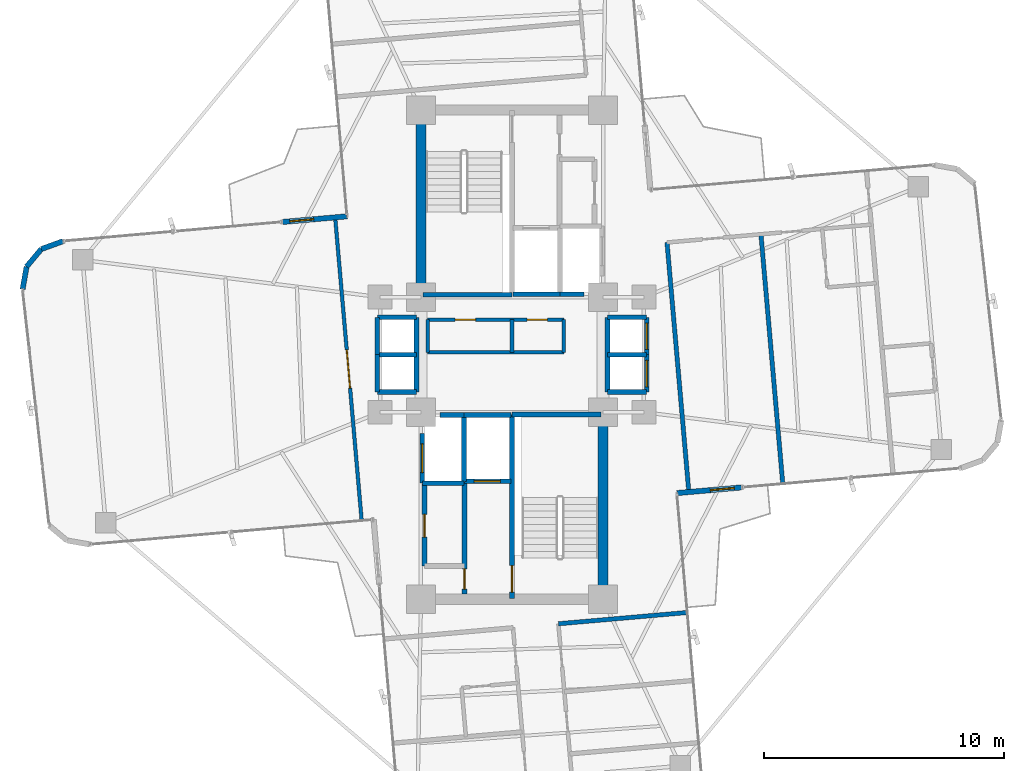
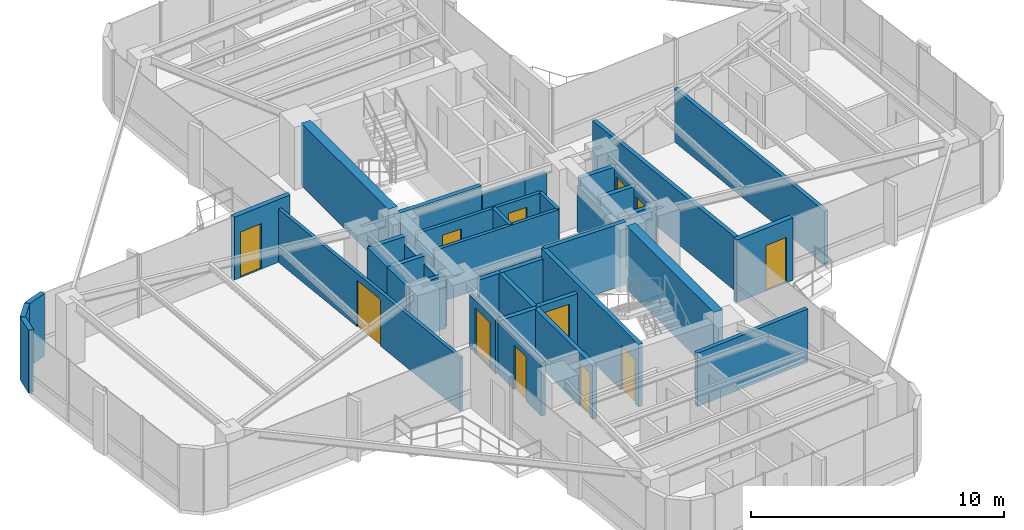
# One storey, part 21 of 24: 41 walls, 12 doors, 12 openings.
"""IFC4 building model written with IfcOpenShell, lengths in metres."""

from ifc_helpers import new_model, si_unit, direction, frame, frame_2d, origin, origin_2d, place, context, subcontext, project, spatial, rectangle, extrude, source, transform, mapped, material, layer, layer_set, type_object, element, fill, save


model = new_model("IFC4")

# Units and contexts
model_context = context("Model", 3, precision=1e-05, world=origin(), true_north=direction((0.0, 1.0)))
body_context = subcontext(model_context, "Body", "Model", "MODEL_VIEW")
ifc_project = project(units=[si_unit("LENGTHUNIT", "METRE"), si_unit("AREAUNIT", "SQUARE_METRE"), si_unit("VOLUMEUNIT", "CUBIC_METRE"), si_unit("PLANEANGLEUNIT", "RADIAN"), si_unit("MASSUNIT", "GRAM", prefix="KILO")], contexts=[model_context])

# Site, building, storey
site_placement = place(None, origin())
site = spatial("IfcSite", under=ifc_project, at=site_placement, CompositionType="ELEMENT")
building_placement = place(site_placement, origin())
building = spatial("IfcBuilding", under=site, at=building_placement, Name="Sahyath Konkavel Grand Hotel", CompositionType="ELEMENT")
storey_placement = place(building_placement, frame((0.0, 0.0, 198.64990234375)))
storey = spatial("IfcBuildingStorey", under=building, at=storey_placement, Name="L55", CompositionType="ELEMENT", Elevation=198.64990234375)

# Walls
ifc_material_1 = material(Name="Concrete C50/60", Category="concrete")
ifc_layer_1 = layer(ifc_material_1, 0.419921875)
ifc_layer_set_1 = layer_set([ifc_layer_1], Name="Concrete C50/60")
wall_type_1 = type_object("IfcWallType", Name="CWALL-420", PredefinedType="SHEAR", material=ifc_layer_set_1)
for number, where, z_axis, x_axis, name in (
    (1, (-3.800048828125, 2.85009765625, 0.0), (0.0, 0.0, 1.0), (0.0, 1.0, 0.0), "L55 North Core Shear Wall W"),
    (2, (3.800048828125, -9.75, 0.0), (0.0, 0.0, 1.0), (0.0, 1.0, 0.0), "L55 South Core Shear Wall E"),
):
    element("IfcWall", number, at=place(storey_placement, frame(where, z_axis=z_axis, x_axis=x_axis)), inside=storey, type_object=wall_type_1, Name=name, PredefinedType="SHEAR", context=body_context, shape_type="SweptSolid", body=[
        extrude(rectangle(XDim=6.89990234375, YDim=0.419921875, at=frame_2d((3.449951171875, 0.0))), origin(), (0.0, 0.0, 1.0), 3.030029296875),
    ])

# Wall, opening, door
ifc_material_2 = material(Name="Warm Buff Sandstone Insulated Concrete C40/50", Category="masonry")
ifc_layer_2 = layer(ifc_material_2, 0.219970703125)
ifc_layer_set_2 = layer_set([ifc_layer_2], Name="Warm Buff Sandstone Insulated Concrete C40/50")
wall_type_2 = type_object("IfcWallType", Name="WLL-BALC-THRESH", PredefinedType="STANDARD", material=ifc_layer_set_2)
wall_1_placement = place(storey_placement, frame((6.87939453125, -5.7724609375, 0.0), z_axis=(0.0, 0.0, 1.0), x_axis=(0.996193619346, 0.087168071984, 0.0)))
wall_1 = element("IfcWall", 3, at=wall_1_placement, inside=storey, type_object=wall_type_2, Name="L55 Winter-Garden Threshold Wall 0", PredefinedType="STANDARD", context=body_context, shape_type="SweptSolid", body=[
    extrude(rectangle(XDim=2.699951171875, YDim=0.219970703125, at=frame_2d((1.35009765625, 0.0))), origin(), (0.0, 0.0, 1.0), 3.030029296875),
])
opening_1_placement = place(wall_1_placement, frame((1.39990234375, 0.0, 0.0)))
opening_1 = element("IfcOpeningElement", 4, at=opening_1_placement, cuts=wall_1, Name="Opening D-TR1", PredefinedType="OPENING", context=body_context, shape_type="SweptSolid", body=[
    extrude(rectangle(XDim=1.0, YDim=2.199951171875, at=frame_2d((0.5, 1.10009765625))), frame((0.0, 0.1201171875, 0.0), z_axis=(0.0, -1.0, 0.0), x_axis=(1.0, 0.0, 0.0)), (0.0, 0.0, 1.0), 0.239990234375),
])
ifc_material_3 = material(Name="Anodised Bronze Aluminium & Low-E Glazing", Category="aluminium")
door_type_1 = type_object("IfcDoorType", Name="DR-TERRACE-1000", OperationType="NOTDEFINED", PredefinedType="DOOR", material=ifc_material_3)
shared_shape_1 = source(origin(), body_context, "Body", "SweptSolid", [
    extrude(rectangle(XDim=1.0, YDim=0.050048828125, at=origin_2d()), origin(), (0.0, 0.0, 1.0), 2.199951171875),
])
door_1_placement = place(opening_1_placement, frame((0.5, 0.0, 0.0)))
door_1 = element("IfcDoor", 5, at=door_1_placement, inside=storey, type_object=door_type_1, Name="L55 Winter-Garden Terrace Door 0", OperationType="SINGLE_SWING_LEFT", OverallHeight=2.199951171875, OverallWidth=1.0, PredefinedType="DOOR", context=body_context, shape_type="MappedRepresentation", body=[
    mapped(shared_shape_1, transform((0.0, 0.0, 0.0), scale=1.0)),
])
fill(opening_1, door_1)

wall_2_placement = place(storey_placement, frame((-6.87939453125, 5.7724609375, 0.0), z_axis=(0.0, 0.0, 1.0), x_axis=(-0.996193619346, -0.087168071984, 0.0)))
wall_2 = element("IfcWall", 6, at=wall_2_placement, inside=storey, type_object=wall_type_2, Name="L55 Winter-Garden Threshold Wall 16", PredefinedType="STANDARD", context=body_context, shape_type="SweptSolid", body=[
    extrude(rectangle(XDim=2.699951171875, YDim=0.219970703125, at=frame_2d((1.35009765625, 0.0))), origin(), (0.0, 0.0, 1.0), 3.030029296875),
])
opening_2_placement = place(wall_2_placement, frame((1.39990234375, 0.0, 0.0)))
opening_2 = element("IfcOpeningElement", 7, at=opening_2_placement, cuts=wall_2, Name="Opening D-TR1", PredefinedType="OPENING", context=body_context, shape_type="SweptSolid", body=[
    extrude(rectangle(XDim=1.0, YDim=2.199951171875, at=frame_2d((0.5, 1.10009765625))), frame((0.0, 0.1201171875, 0.0), z_axis=(0.0, -1.0, 0.0), x_axis=(1.0, 0.0, 0.0)), (0.0, 0.0, 1.0), 0.239990234375),
])
door_2_placement = place(opening_2_placement, frame((0.5, 0.0, 0.0)))
door_2 = element("IfcDoor", 8, at=door_2_placement, inside=storey, type_object=door_type_1, Name="L55 Winter-Garden Terrace Door 16", OperationType="SINGLE_SWING_LEFT", OverallHeight=2.199951171875, OverallWidth=1.0, PredefinedType="DOOR", context=body_context, shape_type="MappedRepresentation", body=[
    mapped(shared_shape_1, transform((0.0, 0.0, 0.0), scale=1.0)),
])
fill(opening_2, door_2)

# Walls
wall_3_placement = place(storey_placement, frame((-18.73388671875, 4.735107421875, 0.0), z_axis=(0.0, 0.0, 1.0), x_axis=(-0.939741306239, -0.34188635151, 0.0)))
element("IfcWall", 9, at=wall_3_placement, inside=storey, type_object=wall_type_2, Name="L55 Rounded Corner Sandstone Pier 17", PredefinedType="STANDARD", context=body_context, shape_type="SweptSolid", body=[
    extrude(rectangle(XDim=0.95751953125, YDim=0.219970703125, at=frame_2d((0.478759765625, 0.0))), origin(), (0.0, 0.0, 1.0), 3.030029296875),
])
for number, where, z_axis, x_axis, name in (
    (10, (-19.6337890625, 4.40771484375, 0.0), (0.0, 0.0, 1.0), (-0.642863236823, -0.765980978054, 0.0), "L55 Rounded Corner Sandstone Pier 18"),
    (11, (-20.24951171875, 3.674072265625, 0.0), (0.0, 0.0, 1.0), (-0.173610811841, -0.984814340885, 0.0), "L55 Rounded Corner Sandstone Pier 19"),
):
    element("IfcWall", number, at=place(storey_placement, frame(where, z_axis=z_axis, x_axis=x_axis)), inside=storey, type_object=wall_type_2, Name=name, PredefinedType="STANDARD", context=body_context, shape_type="SweptSolid", body=[
        extrude(rectangle(XDim=0.957763671875, YDim=0.219970703125, at=frame_2d((0.47900390625, 0.0))), origin(), (0.0, 0.0, 1.0), 3.030029296875),
    ])
ifc_material_4 = material(Name="Concrete C40/50", Category="concrete")
ifc_layer_3 = layer(ifc_material_4, 0.199951171875)
ifc_layer_set_3 = layer_set([ifc_layer_3], Name="Concrete C40/50")
wall_type_3 = type_object("IfcWallType", Name="WLL-CORE-200", PredefinedType="SOLIDWALL", material=ifc_layer_set_3)
wall_4_placement = place(storey_placement, frame((-3.719970703125, 2.5, 0.0), z_axis=(0.0, 0.0, 1.0), x_axis=(1.0, 0.0, 0.0)))
element("IfcWall", 12, at=wall_4_placement, inside=storey, type_object=wall_type_3, Name="L55 Stair ST-1 Shaft Wall S", PredefinedType="SOLIDWALL", context=body_context, shape_type="SweptSolid", body=[
    extrude(rectangle(XDim=3.719970703125, YDim=0.199951171875, at=frame_2d((1.85986328125, 0.0))), origin(), (0.0, 0.0, 1.0), 3.030029296875),
])

# Wall, opening, door
wall_5_placement = place(storey_placement, frame((0.0, -10.179931640625, 0.0), z_axis=(0.0, 0.0, 1.0), x_axis=(0.0, 1.0, 0.0)))
wall_5 = element("IfcWall", 13, at=wall_5_placement, inside=storey, type_object=wall_type_3, Name="L55 Stair ST-2 Shaft Wall W", PredefinedType="SOLIDWALL", context=body_context, shape_type="SweptSolid", body=[
    extrude(rectangle(XDim=7.679931640625, YDim=0.199951171875, at=frame_2d((3.83984375, 0.0))), origin(), (0.0, 0.0, 1.0), 3.030029296875),
])
opening_3_placement = place(wall_5_placement, frame((0.280029296875, 0.0, 0.0)))
opening_3 = element("IfcOpeningElement", 14, at=opening_3_placement, cuts=wall_5, Name="Opening D-F12B", PredefinedType="OPENING", context=body_context, shape_type="SweptSolid", body=[
    extrude(rectangle(XDim=1.10009765625, YDim=2.14990234375, at=frame_2d((0.550048828125, 1.074951171875))), frame((0.0, 0.10986328125, 0.0), z_axis=(0.0, -1.0, 0.0), x_axis=(1.0, 0.0, 0.0)), (0.0, 0.0, 1.0), 0.219970703125),
])
ifc_material_5 = material(Name="Steel E350 Smokeproof Fire Door", Category="steel")
door_type_2 = type_object("IfcDoorType", Name="DR-FD120-1100", OperationType="NOTDEFINED", PredefinedType="DOOR", material=ifc_material_5)
shared_shape_2 = source(origin(), body_context, "Body", "SweptSolid", [
    extrude(rectangle(XDim=1.10009765625, YDim=0.050048828125, at=origin_2d()), origin(), (0.0, 0.0, 1.0), 2.14990234375),
])
door_3_placement = place(opening_3_placement, frame((0.550048828125, 0.0, 0.0)))
door_3 = element("IfcDoor", 15, at=door_3_placement, inside=storey, type_object=door_type_2, Name="L55 Stair ST-2 Fire Door", OperationType="SINGLE_SWING_RIGHT", OverallHeight=2.14990234375, OverallWidth=1.10009765625, PredefinedType="DOOR", context=body_context, shape_type="MappedRepresentation", body=[
    mapped(shared_shape_2, transform((0.0, 0.0, 0.0), scale=1.0)),
])
fill(opening_3, door_3)

# Wall
wall_6_placement = place(storey_placement, frame((0.0, -2.5, 0.0), z_axis=(0.0, 0.0, 1.0), x_axis=(1.0, 0.0, 0.0)))
element("IfcWall", 16, at=wall_6_placement, inside=storey, type_object=wall_type_3, Name="L55 Stair ST-2 Shaft Wall N", PredefinedType="SOLIDWALL", context=body_context, shape_type="SweptSolid", body=[
    extrude(rectangle(XDim=3.719970703125, YDim=0.199951171875, at=frame_2d((1.85986328125, 0.0))), origin(), (0.0, 0.0, 1.0), 3.030029296875),
])

# Wall, opening, door
wall_7_placement = place(storey_placement, frame((-1.97998046875, -9.97998046875, 0.0), z_axis=(0.0, 0.0, 1.0), x_axis=(0.0, 1.0, 0.0)))
wall_7 = element("IfcWall", 17, at=wall_7_placement, inside=storey, type_object=wall_type_3, Name="L55 South Firefighting Lobby Wall W", PredefinedType="SOLIDWALL", context=body_context, shape_type="SweptSolid", body=[
    extrude(rectangle(XDim=4.659912109375, YDim=0.199951171875, at=frame_2d((2.330078125, 0.0))), origin(), (0.0, 0.0, 1.0), 2.580078125),
])
opening_4_placement = place(wall_7_placement, frame((0.199951171875, 0.0, 0.0)))
opening_4 = element("IfcOpeningElement", 18, at=opening_4_placement, cuts=wall_7, Name="Opening D-F12D", PredefinedType="OPENING", context=body_context, shape_type="SweptSolid", body=[
    extrude(rectangle(XDim=0.85009765625, YDim=2.10009765625, at=frame_2d((0.425048828125, 1.050048828125))), frame((0.0, 0.10986328125, 0.0), z_axis=(0.0, -1.0, 0.0), x_axis=(1.0, 0.0, 0.0)), (0.0, 0.0, 1.0), 0.219970703125),
])
ifc_material_6 = material(Name="Steel E350 Core Fire Door", Category="steel")
door_type_3 = type_object("IfcDoorType", Name="DR-FD120-850", OperationType="NOTDEFINED", PredefinedType="DOOR", material=ifc_material_6)
shared_shape_3 = source(origin(), body_context, "Body", "SweptSolid", [
    extrude(rectangle(XDim=0.85009765625, YDim=0.050048828125, at=origin_2d()), origin(), (0.0, 0.0, 1.0), 2.10009765625),
])
door_4_placement = place(opening_4_placement, frame((0.425048828125, 0.0, 0.0)))
door_4 = element("IfcDoor", 19, at=door_4_placement, inside=storey, type_object=door_type_3, Name="L55 South Firefighting Lobby Door", OperationType="SINGLE_SWING_RIGHT", OverallHeight=2.10009765625, OverallWidth=0.85009765625, PredefinedType="DOOR", context=body_context, shape_type="MappedRepresentation", body=[
    mapped(shared_shape_3, transform((0.0, 0.0, 0.0), scale=1.0)),
])
fill(opening_4, door_4)

# Walls
wall_8_placement = place(storey_placement, frame((0.050048828125, 2.52001953125, 0.0), z_axis=(0.0, 0.0, 1.0), x_axis=(1.0, 0.0, 0.0)))
element("IfcWall", 20, at=wall_8_placement, inside=storey, type_object=wall_type_3, Name="L55 Partition SH-FFL1-S", PredefinedType="SOLIDWALL", context=body_context, shape_type="SweptSolid", body=[
    extrude(rectangle(XDim=1.949951171875, YDim=0.199951171875, at=frame_2d((0.97509765625, 0.0))), origin(), (0.0, 0.0, 1.0), 2.580078125),
])
wall_9_placement = place(storey_placement, frame((-2.0, -5.280029296875, 0.0), z_axis=(0.0, 0.0, 1.0), x_axis=(0.0, 1.0, 0.0)))
element("IfcWall", 21, at=wall_9_placement, inside=storey, type_object=wall_type_3, Name="L55 Partition SH-FFL2-W", PredefinedType="SOLIDWALL", context=body_context, shape_type="SweptSolid", body=[
    extrude(rectangle(XDim=2.780029296875, YDim=0.199951171875, at=frame_2d((1.39013671875, 0.0))), origin(), (0.0, 0.0, 1.0), 2.580078125),
])
wall_10_placement = place(storey_placement, frame((-2.0, -2.52001953125, 0.0), z_axis=(0.0, 0.0, 1.0), x_axis=(1.0, 0.0, 0.0)))
element("IfcWall", 22, at=wall_10_placement, inside=storey, type_object=wall_type_3, Name="L55 Partition SH-FFL2-N", PredefinedType="SOLIDWALL", context=body_context, shape_type="SweptSolid", body=[
    extrude(rectangle(XDim=1.949951171875, YDim=0.199951171875, at=frame_2d((0.97509765625, 0.0))), origin(), (0.0, 0.0, 1.0), 2.580078125),
])

# Wall, opening, door
wall_11_placement = place(storey_placement, frame((-1.97998046875, -5.280029296875, 0.0), z_axis=(0.0, 0.0, 1.0), x_axis=(1.0, 0.0, 0.0)))
wall_11 = element("IfcWall", 23, at=wall_11_placement, inside=storey, type_object=wall_type_3, Name="L55 Partition SH-FFL2-S", PredefinedType="SOLIDWALL", context=body_context, shape_type="SweptSolid", body=[
    extrude(rectangle(XDim=1.929931640625, YDim=0.199951171875, at=frame_2d((0.96484375, 0.0))), origin(), (0.0, 0.0, 1.0), 2.580078125),
])
opening_5_placement = place(wall_11_placement, frame((0.39990234375, 0.0, 0.0)))
opening_5 = element("IfcOpeningElement", 24, at=opening_5_placement, cuts=wall_11, Name="Opening LD-11", PredefinedType="OPENING", context=body_context, shape_type="SweptSolid", body=[
    extrude(rectangle(XDim=1.10009765625, YDim=2.199951171875, at=frame_2d((0.550048828125, 1.10009765625))), frame((0.0, 0.10986328125, 0.0), z_axis=(0.0, -1.0, 0.0), x_axis=(1.0, 0.0, 0.0)), (0.0, 0.0, 1.0), 0.219970703125),
])
ifc_material_7 = material(Name="Bronze Lift Landing Door 1100")
door_type_4 = type_object("IfcDoorType", Name="DR-LIFT-1100", OperationType="DOUBLE_DOOR_SLIDING", PredefinedType="DOOR", material=ifc_material_7)
shared_shape_4 = source(origin(), body_context, "Body", "SweptSolid", [
    extrude(rectangle(XDim=1.10009765625, YDim=0.050048828125, at=origin_2d()), origin(), (0.0, 0.0, 1.0), 2.199951171875),
])
door_5_placement = place(opening_5_placement, frame((0.550048828125, 0.0, 0.0)))
door_5 = element("IfcDoor", 25, at=door_5_placement, inside=storey, type_object=door_type_4, Name="L55 Lift FFL-2 Landing Door", OperationType="DOUBLE_DOOR_SLIDING", OverallHeight=2.199951171875, OverallWidth=1.10009765625, PredefinedType="DOOR", context=body_context, shape_type="MappedRepresentation", body=[
    mapped(shared_shape_4, transform((0.0, 0.0, 0.0), scale=1.0)),
])
fill(opening_5, door_5)

# Walls
for number, where, z_axis, x_axis, name in (
    (26, (2.0, 2.52001953125, 0.0), (0.0, 0.0, 1.0), (1.0, 0.0, 0.0), "L55 Partition SH-SVL1-S"),
    (27, (-3.0, -2.52001953125, 0.0), (0.0, 0.0, 1.0), (1.0, 0.0, 0.0), "L55 Partition SH-SVL2-N"),
):
    element("IfcWall", number, at=place(storey_placement, frame(where, z_axis=z_axis, x_axis=x_axis)), inside=storey, type_object=wall_type_3, Name=name, PredefinedType="SOLIDWALL", context=body_context, shape_type="SweptSolid", body=[
        extrude(rectangle(XDim=1.0, YDim=0.199951171875, at=frame_2d((0.5, 0.0))), origin(), (0.0, 0.0, 1.0), 2.580078125),
    ])
wall_12_placement = place(storey_placement, frame((-3.739990234375, -5.360107421875, 0.0), z_axis=(0.0, 0.0, 1.0), x_axis=(1.0, 0.0, 0.0)))
element("IfcWall", 28, at=wall_12_placement, inside=storey, type_object=wall_type_3, Name="L55 Partition SH-SVL2-S", PredefinedType="SOLIDWALL", context=body_context, shape_type="SweptSolid", body=[
    extrude(rectangle(XDim=1.739990234375, YDim=0.199951171875, at=frame_2d((0.8701171875, 0.0))), origin(), (0.0, 0.0, 1.0), 2.580078125),
])

# Wall, opening, door
wall_13_placement = place(storey_placement, frame((-3.739990234375, -5.360107421875, 0.0), z_axis=(0.0, 0.0, 1.0), x_axis=(0.0, 1.0, 0.0)))
wall_13 = element("IfcWall", 29, at=wall_13_placement, inside=storey, type_object=wall_type_3, Name="L55 Partition SH-SVL2-W", PredefinedType="SOLIDWALL", context=body_context, shape_type="SweptSolid", body=[
    extrude(rectangle(XDim=2.080078125, YDim=0.199951171875, at=frame_2d((1.0400390625, 0.0))), origin(), (0.0, 0.0, 1.0), 2.580078125),
])
opening_6_placement = place(wall_13_placement, frame((0.43994140625, 0.0, 0.0)))
opening_6 = element("IfcOpeningElement", 30, at=opening_6_placement, cuts=wall_13, Name="Opening LD-12", PredefinedType="OPENING", context=body_context, shape_type="SweptSolid", body=[
    extrude(rectangle(XDim=1.199951171875, YDim=2.199951171875, at=frame_2d((0.60009765625, 1.10009765625))), frame((0.0, 0.10986328125, 0.0), z_axis=(0.0, -1.0, 0.0), x_axis=(1.0, 0.0, 0.0)), (0.0, 0.0, 1.0), 0.219970703125),
])
ifc_material_8 = material(Name="Stainless Steel Lift Landing Door 1200", Category="steel")
door_type_5 = type_object("IfcDoorType", Name="DR-LIFT-1200", OperationType="DOUBLE_DOOR_SLIDING", PredefinedType="DOOR", material=ifc_material_8)
shared_shape_5 = source(origin(), body_context, "Body", "SweptSolid", [
    extrude(rectangle(XDim=1.199951171875, YDim=0.050048828125, at=origin_2d()), origin(), (0.0, 0.0, 1.0), 2.199951171875),
])
door_6_placement = place(opening_6_placement, frame((0.60009765625, 0.0, 0.0)))
door_6 = element("IfcDoor", 31, at=door_6_placement, inside=storey, type_object=door_type_5, Name="L55 Service Lift SVL-2 Landing Door", OperationType="DOUBLE_DOOR_SLIDING", OverallHeight=2.199951171875, OverallWidth=1.199951171875, PredefinedType="DOOR", context=body_context, shape_type="MappedRepresentation", body=[
    mapped(shared_shape_5, transform((0.0, 0.0, 0.0), scale=1.0)),
])
fill(opening_6, door_6)

# Walls
wall_14_placement = place(storey_placement, frame((3.97998046875, -1.56005859375, 0.0), z_axis=(0.0, 0.0, 1.0), x_axis=(0.0, 1.0, 0.0)))
element("IfcWall", 32, at=wall_14_placement, inside=storey, type_object=wall_type_3, Name="L55 Partition SH-PL56-W", PredefinedType="SOLIDWALL", context=body_context, shape_type="SweptSolid", body=[
    extrude(rectangle(XDim=3.1201171875, YDim=0.199951171875, at=frame_2d((1.56005859375, 0.0))), origin(), (0.0, 0.0, 1.0), 2.2001953125),
])
for number, where, z_axis, x_axis, name in (
    (33, (3.97998046875, 1.56005859375, 0.0), (0.0, 0.0, 1.0), (1.0, 0.0, 0.0), "L55 Partition SH-PL56-N"),
    (34, (3.97998046875, -1.56005859375, 0.0), (0.0, 0.0, 1.0), (1.0, 0.0, 0.0), "L55 Partition SH-PL56-S"),
    (35, (3.97998046875, 0.0, 0.0), (0.0, 0.0, 1.0), (1.0, 0.0, 0.0), "L55 Partition SH-PL56-M"),
):
    element("IfcWall", number, at=place(storey_placement, frame(where, z_axis=z_axis, x_axis=x_axis)), inside=storey, type_object=wall_type_3, Name=name, PredefinedType="SOLIDWALL", context=body_context, shape_type="SweptSolid", body=[
        extrude(rectangle(XDim=1.64013671875, YDim=0.199951171875, at=frame_2d((0.820068359375, 0.0))), origin(), (0.0, 0.0, 1.0), 2.580078125),
    ])

# Wall, opening, door
wall_15_placement = place(storey_placement, frame((5.6201171875, 0.0, 0.0), z_axis=(0.0, 0.0, 1.0), x_axis=(0.0, 1.0, 0.0)))
wall_15 = element("IfcWall", 36, at=wall_15_placement, inside=storey, type_object=wall_type_3, Name="L55 Partition SH-PL5-E", PredefinedType="SOLIDWALL", context=body_context, shape_type="SweptSolid", body=[
    extrude(rectangle(XDim=1.56005859375, YDim=0.199951171875, at=frame_2d((0.780029296875, 0.0))), origin(), (0.0, 0.0, 1.0), 2.580078125),
])
opening_7_placement = place(wall_15_placement, frame((0.219970703125, 0.0, 0.0)))
opening_7 = element("IfcOpeningElement", 37, at=opening_7_placement, cuts=wall_15, Name="Opening LD-11", PredefinedType="OPENING", context=body_context, shape_type="SweptSolid", body=[
    extrude(rectangle(XDim=1.10009765625, YDim=2.199951171875, at=frame_2d((0.550048828125, 1.10009765625))), frame((0.0, 0.10986328125, 0.0), z_axis=(0.0, -1.0, 0.0), x_axis=(1.0, 0.0, 0.0)), (0.0, 0.0, 1.0), 0.219970703125),
])
door_7_placement = place(opening_7_placement, frame((0.550048828125, 0.0, 0.0)))
door_7 = element("IfcDoor", 38, at=door_7_placement, inside=storey, type_object=door_type_4, Name="L55 High-Rise Lift PL-5 Landing Door", OperationType="DOUBLE_DOOR_SLIDING", OverallHeight=2.199951171875, OverallWidth=1.10009765625, PredefinedType="DOOR", context=body_context, shape_type="MappedRepresentation", body=[
    mapped(shared_shape_4, transform((0.0, 0.0, 0.0), scale=1.0)),
])
fill(opening_7, door_7)

wall_16_placement = place(storey_placement, frame((5.6201171875, -1.56005859375, 0.0), z_axis=(0.0, 0.0, 1.0), x_axis=(0.0, 1.0, 0.0)))
wall_16 = element("IfcWall", 39, at=wall_16_placement, inside=storey, type_object=wall_type_3, Name="L55 Partition SH-PL6-E", PredefinedType="SOLIDWALL", context=body_context, shape_type="SweptSolid", body=[
    extrude(rectangle(XDim=1.56005859375, YDim=0.199951171875, at=frame_2d((0.780029296875, 0.0))), origin(), (0.0, 0.0, 1.0), 2.580078125),
])
opening_8_placement = place(wall_16_placement, frame((0.219970703125, 0.0, 0.0)))
opening_8 = element("IfcOpeningElement", 40, at=opening_8_placement, cuts=wall_16, Name="Opening LD-11", PredefinedType="OPENING", context=body_context, shape_type="SweptSolid", body=[
    extrude(rectangle(XDim=1.10009765625, YDim=2.199951171875, at=frame_2d((0.550048828125, 1.10009765625))), frame((0.0, 0.10986328125, 0.0), z_axis=(0.0, -1.0, 0.0), x_axis=(1.0, 0.0, 0.0)), (0.0, 0.0, 1.0), 0.219970703125),
])
door_8_placement = place(opening_8_placement, frame((0.550048828125, 0.0, 0.0)))
door_8 = element("IfcDoor", 41, at=door_8_placement, inside=storey, type_object=door_type_4, Name="L55 High-Rise Lift PL-6 Landing Door", OperationType="DOUBLE_DOOR_SLIDING", OverallHeight=2.199951171875, OverallWidth=1.10009765625, PredefinedType="DOOR", context=body_context, shape_type="MappedRepresentation", body=[
    mapped(shared_shape_4, transform((0.0, 0.0, 0.0), scale=1.0)),
])
fill(opening_8, door_8)

# Walls
wall_17_placement = place(storey_placement, frame((-3.97998046875, -1.56005859375, 0.0), z_axis=(0.0, 0.0, 1.0), x_axis=(0.0, 1.0, 0.0)))
element("IfcWall", 42, at=wall_17_placement, inside=storey, type_object=wall_type_3, Name="L55 Partition SH-SL12-E", PredefinedType="SOLIDWALL", context=body_context, shape_type="SweptSolid", body=[
    extrude(rectangle(XDim=3.1201171875, YDim=0.199951171875, at=frame_2d((1.56005859375, 0.0))), origin(), (0.0, 0.0, 1.0), 2.2001953125),
])
for number, where, z_axis, x_axis, name in (
    (43, (-5.6201171875, 1.56005859375, 0.0), (0.0, 0.0, 1.0), (1.0, 0.0, 0.0), "L55 Partition SH-SL12-N"),
    (44, (-5.6201171875, -1.56005859375, 0.0), (0.0, 0.0, 1.0), (1.0, 0.0, 0.0), "L55 Partition SH-SL12-S"),
    (45, (-5.6201171875, 0.0, 0.0), (0.0, 0.0, 1.0), (1.0, 0.0, 0.0), "L55 Partition SH-SL12-M"),
):
    element("IfcWall", number, at=place(storey_placement, frame(where, z_axis=z_axis, x_axis=x_axis)), inside=storey, type_object=wall_type_3, Name=name, PredefinedType="SOLIDWALL", context=body_context, shape_type="SweptSolid", body=[
        extrude(rectangle(XDim=1.64013671875, YDim=0.199951171875, at=frame_2d((0.820068359375, 0.0))), origin(), (0.0, 0.0, 1.0), 2.580078125),
    ])
for number, where, z_axis, x_axis, name in (
    (46, (-5.6201171875, 0.0, 0.0), (0.0, 0.0, 1.0), (0.0, 1.0, 0.0), "L55 Partition SH-SL1-W"),
    (47, (-5.6201171875, -1.56005859375, 0.0), (0.0, 0.0, 1.0), (0.0, 1.0, 0.0), "L55 Partition SH-SL2-W"),
):
    element("IfcWall", number, at=place(storey_placement, frame(where, z_axis=z_axis, x_axis=x_axis)), inside=storey, type_object=wall_type_3, Name=name, PredefinedType="SOLIDWALL", context=body_context, shape_type="SweptSolid", body=[
        extrude(rectangle(XDim=1.56005859375, YDim=0.199951171875, at=frame_2d((0.780029296875, 0.0))), origin(), (0.0, 0.0, 1.0), 2.580078125),
    ])

# Wall, opening, door
wall_18_placement = place(storey_placement, frame((-3.64990234375, -8.81005859375, 0.0), z_axis=(0.0, 0.0, 1.0), x_axis=(0.0, 1.0, 0.0)))
wall_18 = element("IfcWall", 48, at=wall_18_placement, inside=storey, type_object=wall_type_3, Name="L55 Reclaimed South Core Wall W", PredefinedType="SOLIDWALL", context=body_context, shape_type="SweptSolid", body=[
    extrude(rectangle(XDim=3.43017578125, YDim=0.199951171875, at=frame_2d((1.715087890625, 0.0))), origin(), (0.0, 0.0, 1.0), 2.580078125),
])
opening_9_placement = place(wall_18_placement, frame((1.199951171875, 0.0, 0.0)))
opening_9 = element("IfcOpeningElement", 49, at=opening_9_placement, cuts=wall_18, Name="Opening D-AC95", PredefinedType="OPENING", context=body_context, shape_type="SweptSolid", body=[
    extrude(rectangle(XDim=0.949951171875, YDim=2.14990234375, at=frame_2d((0.47509765625, 1.074951171875))), frame((0.0, 0.10986328125, 0.0), z_axis=(0.0, -1.0, 0.0), x_axis=(1.0, 0.0, 0.0)), (0.0, 0.0, 1.0), 0.219970703125),
])
ifc_material_9 = material(Name="Accessible Washroom Timber Door", Category="wood")
door_type_6 = type_object("IfcDoorType", Name="DR-ACC-950", OperationType="NOTDEFINED", PredefinedType="DOOR", material=ifc_material_9)
shared_shape_6 = source(origin(), body_context, "Body", "SweptSolid", [
    extrude(rectangle(XDim=0.949951171875, YDim=0.050048828125, at=origin_2d()), origin(), (0.0, 0.0, 1.0), 2.14990234375),
])
door_9_placement = place(opening_9_placement, frame((0.47509765625, 0.0, 0.0)))
door_9 = element("IfcDoor", 50, at=door_9_placement, inside=storey, type_object=door_type_6, Name="L55 Door SC-REC1-D", OperationType="SINGLE_SWING_RIGHT", OverallHeight=2.14990234375, OverallWidth=0.949951171875, PredefinedType="DOOR", context=body_context, shape_type="MappedRepresentation", body=[
    mapped(shared_shape_6, transform((0.0, 0.0, 0.0), scale=1.0)),
])
fill(opening_9, door_9)

# Walls
ifc_material_10 = material(Name="Twin-Stud Acoustic Gypsum Plasterboard Partition")
ifc_layer_4 = layer(ifc_material_10, 0.179931640625)
ifc_layer_set_4 = layer_set([ifc_layer_4], Name="Twin-Stud Acoustic Gypsum Plasterboard Partition")
wall_type_4 = type_object("IfcWallType", Name="WLL-DEMISE-180", PredefinedType="PARTITIONING", material=ifc_layer_set_4)
for number, where, z_axis, x_axis, name in (
    (51, (7.373046875, -5.678955078125, 0.0), (0.0, 0.0, 1.0), (-0.087163455754, 0.996194023261, 0.0), "L55 Partition E-G5I"),
    (52, (10.384521484375, 5.024169921875, 0.0), (0.0, 0.0, 1.0), (0.087163455754, -0.996194023261, 0.0), "L55 Partition E-ED1-DEM"),
):
    element("IfcWall", number, at=place(storey_placement, frame(where, z_axis=z_axis, x_axis=x_axis)), inside=storey, type_object=wall_type_4, Name=name, PredefinedType="PARTITIONING", context=body_context, shape_type="SweptSolid", body=[
        extrude(rectangle(XDim=10.39990234375, YDim=0.179931640625, at=frame_2d((5.199951171875, 0.0))), origin(), (0.0, 0.0, 1.0), 2.580078125),
    ])
wall_19_placement = place(storey_placement, frame((1.935546875, -11.22412109375, 0.0), z_axis=(0.0, 0.0, 1.0), x_axis=(0.996194212812, 0.087161289348, 0.0)))
element("IfcWall", 53, at=wall_19_placement, inside=storey, type_object=wall_type_4, Name="L55 Partition S-INL", PredefinedType="PARTITIONING", context=body_context, shape_type="SweptSolid", body=[
    extrude(rectangle(XDim=5.349853515625, YDim=0.179931640625, at=frame_2d((2.6748046875, 0.0))), origin(), (0.0, 0.0, 1.0), 2.580078125),
])
ifc_material_11 = material(Name="Fire-Rated Gypsum Plasterboard Partition")
ifc_layer_5 = layer(ifc_material_11, 0.14990234375)
ifc_layer_set_5 = layer_set([ifc_layer_5], Name="Fire-Rated Gypsum Plasterboard Partition")
wall_type_5 = type_object("IfcWallType", Name="WLL-PART-150", PredefinedType="PARTITIONING", material=ifc_layer_set_5)
wall_20_placement = place(storey_placement, frame((-3.52001953125, 0.10009765625, 0.0), z_axis=(0.0, 0.0, 1.0), x_axis=(1.0, 0.0, 0.0)))
element("IfcWall", 54, at=wall_20_placement, inside=storey, type_object=wall_type_5, Name="L55 Partition CC-S0-FIX", PredefinedType="PARTITIONING", context=body_context, shape_type="SweptSolid", body=[
    extrude(rectangle(XDim=5.679931640625, YDim=0.14990234375, at=frame_2d((2.83984375, 0.0))), origin(), (0.0, 0.0, 1.0), 2.580078125),
])

# Wall, openings, doors
wall_21_placement = place(storey_placement, frame((-3.52001953125, 1.4599609375, 0.0), z_axis=(0.0, 0.0, 1.0), x_axis=(1.0, 0.0, 0.0)))
wall_21 = element("IfcWall", 55, at=wall_21_placement, inside=storey, type_object=wall_type_5, Name="L55 Partition CC-N0", PredefinedType="PARTITIONING", context=body_context, shape_type="SweptSolid", body=[
    extrude(rectangle(XDim=5.679931640625, YDim=0.14990234375, at=frame_2d((2.83984375, 0.0))), origin(), (0.0, 0.0, 1.0), 2.580078125),
])
opening_10_placement = place(wall_21_placement, frame((1.14990234375, 0.0, 0.0)))
opening_10 = element("IfcOpeningElement", 56, at=opening_10_placement, cuts=wall_21, Name="Opening D-F06D", PredefinedType="OPENING", context=body_context, shape_type="SweptSolid", body=[
    extrude(rectangle(XDim=0.85009765625, YDim=2.10009765625, at=frame_2d((0.425048828125, 1.050048828125))), frame((0.0, 0.0849609375, 0.0), z_axis=(0.0, -1.0, 0.0), x_axis=(1.0, 0.0, 0.0)), (0.0, 0.0, 1.0), 0.169921875),
])
opening_11_placement = place(wall_21_placement, frame((4.14990234375, 0.0, 0.0)))
opening_11 = element("IfcOpeningElement", 57, at=opening_11_placement, cuts=wall_21, Name="Opening D-F06D", PredefinedType="OPENING", context=body_context, shape_type="SweptSolid", body=[
    extrude(rectangle(XDim=0.85009765625, YDim=2.10009765625, at=frame_2d((0.425048828125, 1.050048828125))), frame((0.0, 0.0849609375, 0.0), z_axis=(0.0, -1.0, 0.0), x_axis=(1.0, 0.0, 0.0)), (0.0, 0.0, 1.0), 0.169921875),
])
ifc_material_12 = material(Name="Fire-Rated Shaft Access Door")
door_type_7 = type_object("IfcDoorType", Name="DR-FD60-850", OperationType="NOTDEFINED", PredefinedType="DOOR", material=ifc_material_12)
door_10_placement = place(opening_10_placement, frame((0.425048828125, 0.0, 0.0)))
door_10 = element("IfcDoor", 58, at=door_10_placement, inside=storey, type_object=door_type_7, Name="L55 Door CC-D0A", OperationType="SINGLE_SWING_LEFT", OverallHeight=2.10009765625, OverallWidth=0.85009765625, PredefinedType="DOOR", context=body_context, shape_type="MappedRepresentation", body=[
    mapped(shared_shape_3, transform((0.0, 0.0, 0.0), scale=1.0)),
])
fill(opening_10, door_10)
door_11_placement = place(opening_11_placement, frame((0.425048828125, 0.0, 0.0)))
door_11 = element("IfcDoor", 59, at=door_11_placement, inside=storey, type_object=door_type_7, Name="L55 Door CC-D0B", OperationType="SINGLE_SWING_RIGHT", OverallHeight=2.10009765625, OverallWidth=0.85009765625, PredefinedType="DOOR", context=body_context, shape_type="MappedRepresentation", body=[
    mapped(shared_shape_3, transform((0.0, 0.0, 0.0), scale=1.0)),
])
fill(opening_11, door_11)

# Walls
wall_22_placement = place(storey_placement, frame((-3.52001953125, 0.10009765625, 0.0), z_axis=(0.0, 0.0, 1.0), x_axis=(0.0, 1.0, 0.0)))
element("IfcWall", 60, at=wall_22_placement, inside=storey, type_object=wall_type_5, Name="L55 Partition CC-W0", PredefinedType="PARTITIONING", context=body_context, shape_type="SweptSolid", body=[
    extrude(rectangle(XDim=1.35986328125, YDim=0.14990234375, at=frame_2d((0.679931640625, 0.0))), origin(), (0.0, 0.0, 1.0), 2.2001953125),
])
for number, where, z_axis, x_axis, name in (
    (61, (2.159912109375, 0.10009765625, 0.0), (0.0, 0.0, 1.0), (0.0, 1.0, 0.0), "L55 Partition CC-E0"),
    (62, (0.0, 0.10009765625, 0.0), (0.0, 0.0, 1.0), (0.0, 1.0, 0.0), "L55 Partition CC-M0"),
):
    element("IfcWall", number, at=place(storey_placement, frame(where, z_axis=z_axis, x_axis=x_axis)), inside=storey, type_object=wall_type_5, Name=name, PredefinedType="PARTITIONING", context=body_context, shape_type="SweptSolid", body=[
        extrude(rectangle(XDim=1.35986328125, YDim=0.14990234375, at=frame_2d((0.679931640625, 0.0))), origin(), (0.0, 0.0, 1.0), 2.580078125),
    ])

# Wall, opening, door
wall_23_placement = place(storey_placement, frame((-7.373046875, 5.678955078125, 0.0), z_axis=(0.0, 0.0, 1.0), x_axis=(0.087154691724, -0.996194790044, 0.0)))
wall_23 = element("IfcWall", 63, at=wall_23_placement, inside=storey, type_object=wall_type_5, Name="L55 Partition W-SAL-IN", PredefinedType="PARTITIONING", context=body_context, shape_type="SweptSolid", body=[
    extrude(rectangle(XDim=12.599853515625, YDim=0.14990234375, at=frame_2d((6.2998046875, 0.0))), origin(), (0.0, 0.0, 1.0), 2.580078125),
])
opening_12_placement = place(wall_23_placement, frame((5.5, 0.0, 0.0)))
opening_12 = element("IfcOpeningElement", 64, at=opening_12_placement, cuts=wall_23, Name="Opening D-DB16", PredefinedType="OPENING", context=body_context, shape_type="SweptSolid", body=[
    extrude(rectangle(XDim=1.60009765625, YDim=2.25, at=frame_2d((0.800048828125, 1.125))), frame((0.0, 0.0849609375, 0.0), z_axis=(0.0, -1.0, 0.0), x_axis=(1.0, 0.0, 0.0)), (0.0, 0.0, 1.0), 0.169921875),
])
ifc_material_13 = material(Name="Double Leaf Lounge Glazed Timber Door", Category="wood")
door_type_8 = type_object("IfcDoorType", Name="DR-DBL-1600", OperationType="DOUBLE_DOOR_SINGLE_SWING", PredefinedType="DOOR", material=ifc_material_13)
shared_shape_7 = source(origin(), body_context, "Body", "SweptSolid", [
    extrude(rectangle(XDim=1.60009765625, YDim=0.050048828125, at=origin_2d()), origin(), (0.0, 0.0, 1.0), 2.25),
])
door_12_placement = place(opening_12_placement, frame((0.800048828125, 0.0, 0.0)))
door_12 = element("IfcDoor", 65, at=door_12_placement, inside=storey, type_object=door_type_8, Name="L55 Door W-SAL-D", OperationType="DOUBLE_DOOR_SINGLE_SWING", OverallHeight=2.25, OverallWidth=1.60009765625, PredefinedType="DOOR", context=body_context, shape_type="MappedRepresentation", body=[
    mapped(shared_shape_7, transform((0.0, 0.0, 0.0), scale=1.0)),
])
fill(opening_12, door_12)

save(model, "model.ifc")
